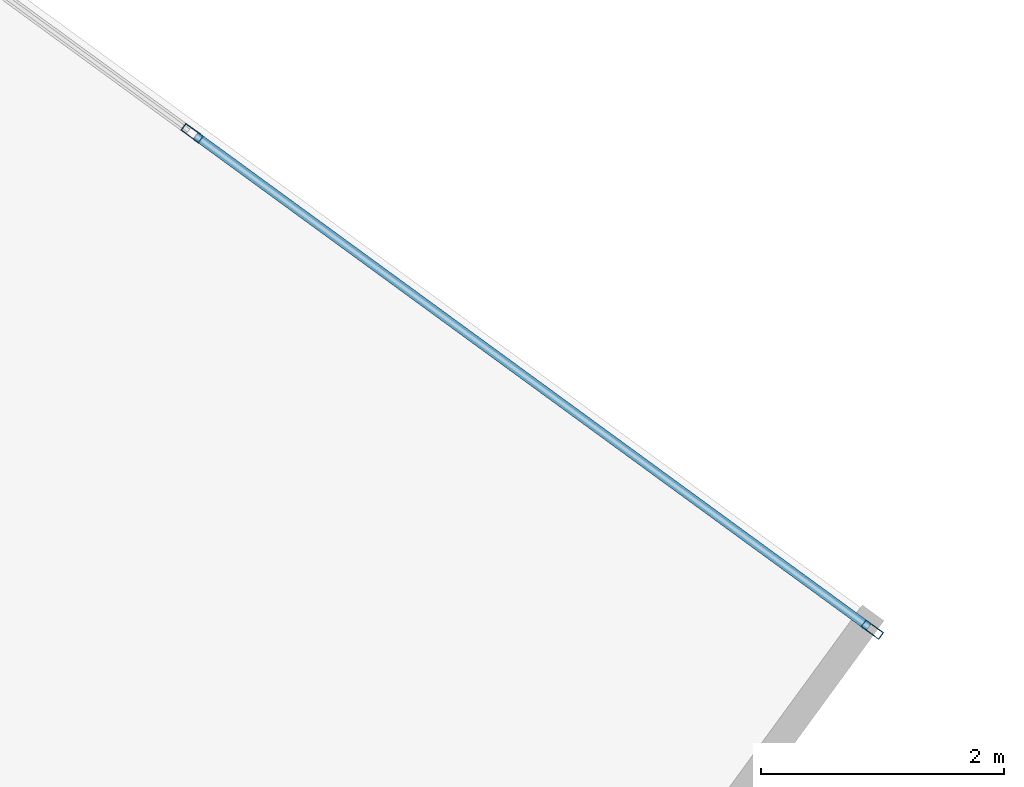
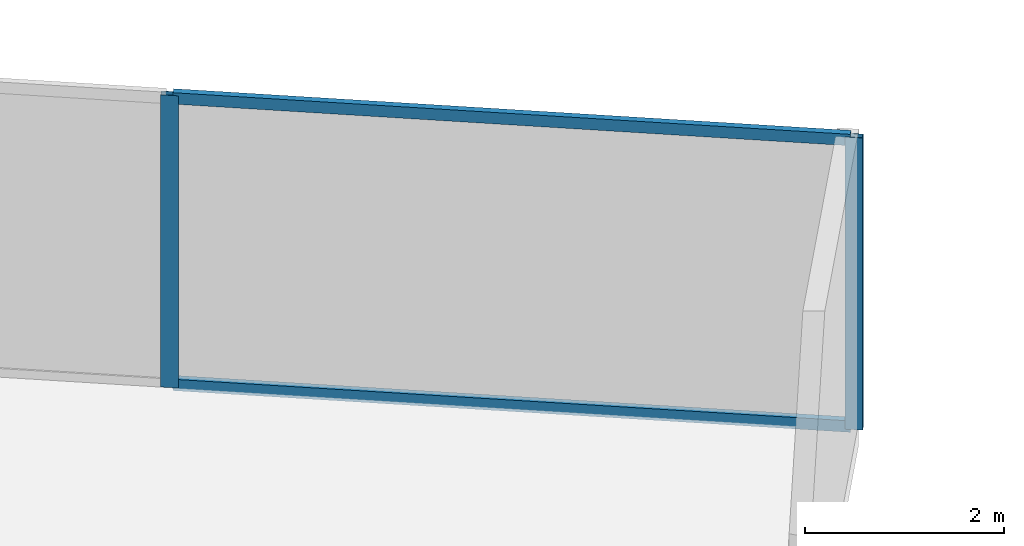
# One storey, part 18 of 25: 4 members, 1 element without a shape of its own.
"""IFC4 building model written with IfcOpenShell, lengths in metres."""

from ifc_helpers import new_model, si_unit, direction, frame, origin, origin_2d, place, context, subcontext, project, spatial, hollow_rectangle, extrude, source, transform, mapped, material, material_profile, profile_set, type_object, type_shapes, element, aggregate, save


model = new_model("IFC4")

# Units and contexts
model_context = context("Model", 3, precision=1e-05, world=origin(), true_north=direction((0.0, 1.0)))
body_context = subcontext(model_context, "Body", "Model", "MODEL_VIEW")
ifc_project = project(units=[si_unit("LENGTHUNIT", "METRE"), si_unit("AREAUNIT", "SQUARE_METRE"), si_unit("VOLUMEUNIT", "CUBIC_METRE"), si_unit("PLANEANGLEUNIT", "RADIAN"), si_unit("MASSUNIT", "GRAM", prefix="KILO")], contexts=[model_context])

# Site, building, storey
site_placement = place(None, origin())
site = spatial("IfcSite", under=ifc_project, at=site_placement, CompositionType="ELEMENT")
building_placement = place(site_placement, origin())
building = spatial("IfcBuilding", under=site, at=building_placement, Name="Krantzveldt Concourse Tower", CompositionType="ELEMENT")
storey_placement = place(building_placement, frame((0.0, 0.0, 197.550048828125)))
storey = spatial("IfcBuildingStorey", under=building, at=storey_placement, Name="L48", CompositionType="ELEMENT", Elevation=197.550048828125)

# Curtain wall, members
ifc_material = material(Name="Anodised aluminium 6063-T6", Category="aluminium")
curtain_wall_type = type_object("IfcCurtainWallType", Name="CW3", PredefinedType="USERDEFINED", material=ifc_material)
curtain_wall_placement = place(storey_placement, origin())
curtain_wall = element("IfcCurtainWall", 1, at=curtain_wall_placement, inside=storey, type_object=curtain_wall_type, Name="CW-L48-F10", ObjectType="UNITISED CURTAIN WALL", PredefinedType="USERDEFINED")
ifc_material_profile_1 = material_profile(ifc_material, hollow_rectangle(XDim=0.070068359375, YDim=0.179931640625, WallThickness=0.0048828125, at=origin_2d()), Name="Anodised aluminium 6063-T6", Category="aluminium")
ifc_profile_set_1 = profile_set([ifc_material_profile_1], Name="Anodised aluminium 6063-T6 - ALU-MULL 180x70x5")
member_type_1 = type_object("IfcMemberType", Name="CW-MUL-180", PredefinedType="MULLION", material=ifc_profile_set_1)
shared_shape_1 = source(origin(), body_context, "Body", "SweptSolid", [
    extrude(hollow_rectangle(XDim=0.070068359375, YDim=0.179931640625, WallThickness=0.0048828125, at=origin_2d()), origin(), (0.0, 0.0, 1.0), 3.58984375),
])
type_shapes(member_type_1, [shared_shape_1])
member_1_placement = place(storey_placement, frame((62.88427734375, 34.0791015625, 0.0), z_axis=(0.0, 0.0, 1.0), x_axis=(-0.589548833895, -0.807732735781, 0.0)))
member_1 = element("IfcMember", 2, at=member_1_placement, type_object=member_type_1, Name="CW-Z34 mullion 1", PredefinedType="MULLION", context=body_context, shape_type="MappedRepresentation", body=[
    mapped(shared_shape_1, transform((0.0, 0.0, 0.0), x_axis=(1.0, 0.0, 0.0), y_axis=(0.0, 1.0, 0.0), z_axis=(0.0, 0.0, 1.0), scale=1.0)),
])
member_2_placement = place(storey_placement, frame((57.290771484375, 38.161865234375, 0.0), z_axis=(0.0, 0.0, 1.0), x_axis=(-0.589548833895, -0.807732735781, 0.0)))
member_2 = element("IfcMember", 3, at=member_2_placement, type_object=member_type_1, Name="CW-Z34 mullion 2", PredefinedType="MULLION", context=body_context, shape_type="MappedRepresentation", body=[
    mapped(shared_shape_1, transform((0.0, 0.0, 0.0), x_axis=(1.0, 0.0, 0.0), y_axis=(0.0, 1.0, 0.0), z_axis=(0.0, 0.0, 1.0), scale=1.0)),
])
ifc_material_profile_2 = material_profile(ifc_material, hollow_rectangle(XDim=0.070068359375, YDim=0.139892578125, WallThickness=0.0048828125, at=origin_2d()), Name="Anodised aluminium 6063-T6", Category="aluminium")
ifc_profile_set_2 = profile_set([ifc_material_profile_2], Name="Anodised aluminium 6063-T6 - ALU-TRAN 140x70x5")
member_type_2 = type_object("IfcMemberType", Name="CW-TRN-150", PredefinedType="USERDEFINED", material=ifc_profile_set_2)
shared_shape_2 = source(origin(), body_context, "Body", "SweptSolid", [
    extrude(hollow_rectangle(XDim=0.070068359375, YDim=0.139892578125, WallThickness=0.0048828125, at=origin_2d()), origin(), (0.0, 0.0, 1.0), 6.854736328125),
])
type_shapes(member_type_2, [shared_shape_2])
member_3_placement = place(storey_placement, frame((62.85595703125, 34.099853515625, 0.034912109375), z_axis=(-0.807732274439, 0.589549465973, 0.0), x_axis=(-0.589549465973, -0.807732274439, 0.0)))
member_3 = element("IfcMember", 4, at=member_3_placement, type_object=member_type_2, Name="CW-Z34 transom 1.1", ObjectType="TRANSOM", PredefinedType="USERDEFINED", context=body_context, shape_type="MappedRepresentation", body=[
    mapped(shared_shape_2, transform((0.0, 0.0, 0.0), x_axis=(1.0, 0.0, 0.0), y_axis=(0.0, 1.0, 0.0), z_axis=(0.0, 0.0, 1.0), scale=1.0)),
])
member_4_placement = place(storey_placement, frame((62.85595703125, 34.099853515625, 3.554931640625), z_axis=(-0.807732274439, 0.589549465973, 0.0), x_axis=(-0.589549465973, -0.807732274439, 0.0)))
member_4 = element("IfcMember", 5, at=member_4_placement, type_object=member_type_2, Name="CW-Z34 transom 1.2", ObjectType="TRANSOM", PredefinedType="USERDEFINED", context=body_context, shape_type="MappedRepresentation", body=[
    mapped(shared_shape_2, transform((0.0, 0.0, 0.0), x_axis=(1.0, 0.0, 0.0), y_axis=(0.0, 1.0, 0.0), z_axis=(0.0, 0.0, 1.0), scale=1.0)),
])
aggregate(curtain_wall, [member_1, member_2, member_3, member_4])

save(model, "model.ifc")
